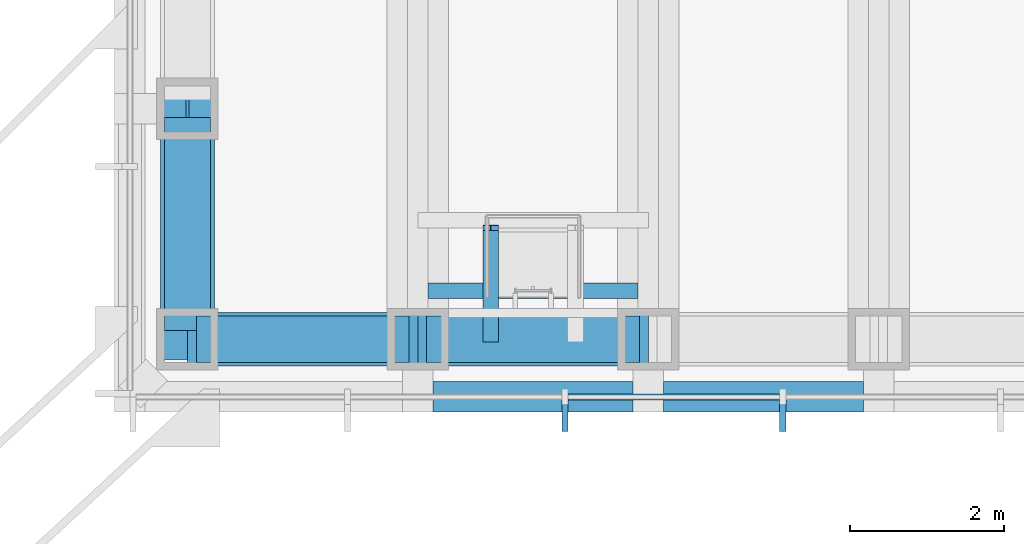
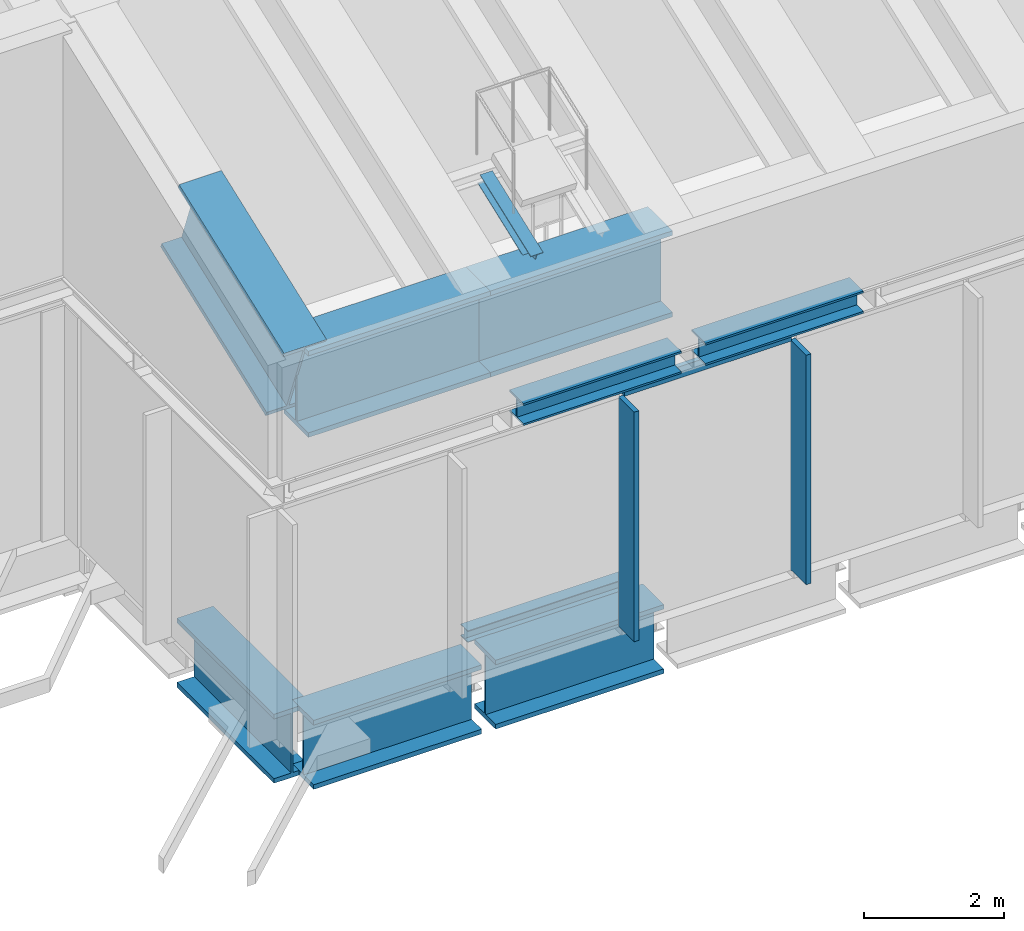
# One storey, part 2 of 15: 10 beams, 3 members, 1 element without a shape of its own.
"""IFC4 building model written with IfcOpenShell, lengths in metres."""

from ifc_helpers import new_model, si_unit, direction, frame, origin, origin_2d, place, context, subcontext, project, spatial, rectangle, i_section, extrude, material, material_profile, profile_set, type_object, element, aggregate, save


model = new_model("IFC4")

# Units and contexts
model_context = context("Model", 3, precision=1e-05, world=origin(), true_north=direction((0.0, 1.0)))
body_context = subcontext(model_context, "Body", "Model", "MODEL_VIEW")
ifc_project = project(units=[si_unit("LENGTHUNIT", "METRE"), si_unit("AREAUNIT", "SQUARE_METRE"), si_unit("VOLUMEUNIT", "CUBIC_METRE"), si_unit("PLANEANGLEUNIT", "RADIAN"), si_unit("MASSUNIT", "GRAM", prefix="KILO")], contexts=[model_context])

# Site, building, storey
site_placement = place(None, origin())
site = spatial("IfcSite", under=ifc_project, at=site_placement, CompositionType="ELEMENT")
building_placement = place(site_placement, origin())
building = spatial("IfcBuilding", under=site, at=building_placement, Name="Daluyong Arena Tower", CompositionType="ELEMENT")
storey_placement = place(building_placement, frame((0.0, 0.0, 285.699951171875)))
storey = spatial("IfcBuildingStorey", under=building, at=storey_placement, Name="L64", CompositionType="ELEMENT", Elevation=285.699951171875)

# Curtain wall, members
ifc_material_1 = material(Name="Bronze anodised aluminium and glass", Category="aluminium")
curtain_wall_type = type_object("IfcCurtainWallType", Name="Curtain wall CW6", PredefinedType="USERDEFINED", material=ifc_material_1)
curtain_wall_placement = place(storey_placement, origin())
curtain_wall = element("IfcCurtainWall", 1, at=curtain_wall_placement, inside=storey, type_object=curtain_wall_type, Name="crown louvre curtain wall L64 S", ObjectType="UNITISED CURTAIN WALL", PredefinedType="USERDEFINED")
ifc_material_2 = material(Name="Bronze anodised aluminium fin", Category="aluminium")
ifc_material_profile_1 = material_profile(ifc_material_2, rectangle(XDim=0.449951171875, YDim=0.080078125, at=origin_2d()))
ifc_profile_set_1 = profile_set([ifc_material_profile_1], Name="Bronze anodised aluminium fin")
member_type_1 = type_object("IfcMemberType", Name="CW6 bronze fin 450x80", PredefinedType="MULLION", material=ifc_profile_set_1)
member_1_placement = place(storey_placement, frame((48.916748046875, 61.02490234375, 0.0), z_axis=(0.0, 0.0, 1.0), x_axis=(0.0, 1.0, 0.0)))
member_1 = element("IfcMember", 2, at=member_1_placement, type_object=member_type_1, Name="crown louvre curtain wall L64 S fin 3", PredefinedType="MULLION", context=body_context, shape_type="SweptSolid", body=[
    extrude(rectangle(XDim=0.449951171875, YDim=0.080078125, at=origin_2d()), origin(), (0.0, 0.0, 1.0), 4.0),
])
member_2_placement = place(storey_placement, frame((51.75, 61.02490234375, 0.0), z_axis=(0.0, 0.0, 1.0), x_axis=(0.0, 1.0, 0.0)))
member_2 = element("IfcMember", 3, at=member_2_placement, type_object=member_type_1, Name="crown louvre curtain wall L64 S fin 4", PredefinedType="MULLION", context=body_context, shape_type="SweptSolid", body=[
    extrude(rectangle(XDim=0.449951171875, YDim=0.080078125, at=origin_2d()), origin(), (0.0, 0.0, 1.0), 4.0),
])
ifc_material_3 = material(Name="Bronze anodised aluminium", Category="aluminium")
ifc_material_profile_2 = material_profile(ifc_material_3, rectangle(XDim=0.080078125, YDim=0.199951171875, at=origin_2d()))
ifc_profile_set_2 = profile_set([ifc_material_profile_2], Name="Bronze anodised aluminium")
member_type_2 = type_object("IfcMemberType", Name="CW6 stack transom 200x80", PredefinedType="USERDEFINED", material=ifc_profile_set_2)
member_3_placement = place(storey_placement, frame((48.956787109375, 61.25, 4.10009765625), z_axis=(1.0, 0.0, 0.0), x_axis=(0.0, 1.0, 0.0)))
member_3 = element("IfcMember", 4, at=member_3_placement, type_object=member_type_2, Name="crown louvre curtain wall L64 S transom 3", ObjectType="TRANSOM", PredefinedType="USERDEFINED", context=body_context, shape_type="SweptSolid", body=[
    extrude(rectangle(XDim=0.080078125, YDim=0.199951171875, at=origin_2d()), origin(), (0.0, 0.0, 1.0), 2.753173828125),
])
aggregate(curtain_wall, [member_1, member_2, member_3])

# Beams
ifc_material_4 = material(Name="Steel ASTM A992 Grade 50", Category="steel")
ifc_material_profile_3 = material_profile(ifc_material_4, i_section(OverallWidth=0.398681640625, OverallDepth=0.385986328125, WebThickness=0.02099609375, FlangeThickness=0.033203125, at=origin_2d()))
ifc_profile_set_3 = profile_set([ifc_material_profile_3], Name="Steel ASTM A992 Grade 50")
beam_type_1 = type_object("IfcBeamType", Name="Crown louvre support beam W14X176", PredefinedType="BEAM", material=ifc_profile_set_3)
for number, where, z_axis, x_axis, name in (
    (5, (47.199462890625, 61.25, 4.39306640625), (1.0, 0.0, 0.0), (0.0, 1.0, 0.0), "crown louvre support beam LS1"),
    (6, (50.199462890625, 61.25, 4.39306640625), (1.0, 0.0, 0.0), (0.0, 1.0, 0.0), "crown louvre support beam LS1"),
):
    element("IfcBeam", number, at=place(storey_placement, frame(where, z_axis=z_axis, x_axis=x_axis)), inside=storey, type_object=beam_type_1, Name=name, PredefinedType="BEAM", context=body_context, shape_type="SweptSolid", body=[
        extrude(i_section(OverallWidth=0.398681640625, OverallDepth=0.385986328125, WebThickness=0.02099609375, FlangeThickness=0.033203125, at=origin_2d()), origin(), (0.0, 0.0, 1.0), 2.60107421875),
    ])
ifc_material_5 = material(Name="Steel ASTM A992 Grade 50", Category="steel")
ifc_material_profile_4 = material_profile(ifc_material_5, i_section(OverallWidth=0.203125, OverallDepth=0.203125, WebThickness=0.00732421875, FlangeThickness=0.010986328125, at=origin_2d()))
ifc_profile_set_4 = profile_set([ifc_material_profile_4], Name="Steel ASTM A992 Grade 50")
beam_type_2 = type_object("IfcBeamType", Name="Crown plant floor ladder trimmer W8X31", PredefinedType="BEAM", material=ifc_profile_set_4)
beam_1_placement = place(storey_placement, frame((47.13330078125, 62.632568359375, -0.3515625), z_axis=(1.0, 0.0, 0.0), x_axis=(0.0, 1.0, 0.0)))
element("IfcBeam", 7, at=beam_1_placement, inside=storey, type_object=beam_type_2, Name="crown plant floor trimmer LT1", PredefinedType="BEAM", context=body_context, shape_type="SweptSolid", body=[
    extrude(i_section(OverallWidth=0.203125, OverallDepth=0.203125, WebThickness=0.00732421875, FlangeThickness=0.010986328125, at=origin_2d()), origin(), (0.0, 0.0, 1.0), 2.7333984375),
])
ifc_material_6 = material(Name="Steel ASTM A572 Grade 50", Category="steel")
ifc_material_profile_5 = material_profile(ifc_material_6, i_section(OverallWidth=0.699951171875, OverallDepth=1.5, WebThickness=0.04, FlangeThickness=0.08, at=origin_2d()))
ifc_profile_set_5 = profile_set([ifc_material_profile_5], Name="Steel ASTM A572 Grade 50")
beam_type_3 = type_object("IfcBeamType", Name="Crown roof edge beam PG1500X700", PredefinedType="SPANDREL", material=ifc_profile_set_5)
for number, where, z_axis, x_axis, name in (
    (8, (44.0, 62.0, 5.50244140625), (1.0, 0.0, 0.0), (0.0, 1.0, 0.0), "crown roof edge beam RB1"),
    (9, (47.0, 62.0, 5.50244140625), (1.0, 0.0, 0.0), (0.0, 1.0, 0.0), "crown roof edge beam RB1"),
):
    element("IfcBeam", number, at=place(storey_placement, frame(where, z_axis=z_axis, x_axis=x_axis)), inside=storey, type_object=beam_type_3, Name=name, PredefinedType="SPANDREL", context=body_context, shape_type="SweptSolid", body=[
        extrude(i_section(OverallWidth=0.699951171875, OverallDepth=1.5, WebThickness=0.04, FlangeThickness=0.08, at=origin_2d()), origin(), (0.0, 0.0, 1.0), 3.0),
    ])
beam_2_placement = place(storey_placement, frame((44.0, 65.0, 6.708740234375), z_axis=(0.0, -0.936228943712, -0.351390615918), x_axis=(1.0, 0.0, 0.0)))
element("IfcBeam", 10, at=beam_2_placement, inside=storey, type_object=beam_type_3, Name="crown roof edge beam RB1", PredefinedType="SPANDREL", context=body_context, shape_type="SweptSolid", body=[
    extrude(i_section(OverallWidth=0.699951171875, OverallDepth=1.5, WebThickness=0.04, FlangeThickness=0.08, at=origin_2d()), origin(), (0.0, 0.0, 1.0), 3.204345703125),
])
ifc_material_7 = material(Name="Steel ASTM A992 Grade 50", Category="steel")
ifc_material_profile_6 = material_profile(ifc_material_7, i_section(OverallWidth=0.203125, OverallDepth=0.203125, WebThickness=0.00732421875, FlangeThickness=0.010986328125, at=origin_2d()))
ifc_profile_set_6 = profile_set([ifc_material_profile_6], Name="Steel ASTM A992 Grade 50")
beam_type_4 = type_object("IfcBeamType", Name="Crown roof opening trimmer W8X31", PredefinedType="BEAM", material=ifc_profile_set_6)
beam_3_placement = place(storey_placement, frame((47.948486328125, 62.0, 6.275390625), z_axis=(0.0, 0.936231965537, 0.351382564604), x_axis=(-1.0, 0.0, 0.0)))
element("IfcBeam", 11, at=beam_3_placement, inside=storey, type_object=beam_type_4, Name="crown roof opening trimmer HT1", PredefinedType="BEAM", context=body_context, shape_type="SweptSolid", body=[
    extrude(i_section(OverallWidth=0.203125, OverallDepth=0.203125, WebThickness=0.00732421875, FlangeThickness=0.010986328125, at=origin_2d()), origin(), (0.0, 0.0, 1.0), 1.548828125),
])
ifc_material_8 = material(Name="Steel ASTM A572 Grade 50", Category="steel")
ifc_material_profile_7 = material_profile(ifc_material_8, i_section(OverallWidth=0.60009765625, OverallDepth=1.199951171875, WebThickness=0.03, FlangeThickness=0.08, at=origin_2d()))
ifc_profile_set_7 = profile_set([ifc_material_profile_7], Name="Steel ASTM A572 Grade 50")
beam_type_5 = type_object("IfcBeamType", Name="Spandrel ZC PG1200X600", PredefinedType="SPANDREL", material=ifc_profile_set_7)
for number, where, z_axis, x_axis, name in (
    (12, (44.114990234375, 62.0, -0.849853515625), (1.0, 0.0, 0.0), (0.0, 1.0, 0.0), "spandrel zc SB10"),
    (13, (47.114990234375, 62.0, -0.849853515625), (1.0, 0.0, 0.0), (0.0, 1.0, 0.0), "spandrel zc SB10"),
    (14, (44.0, 64.885009765625, -0.849853515625), (0.0, -1.0, 0.0), (1.0, 0.0, 0.0), "spandrel zc SB10"),
):
    element("IfcBeam", number, at=place(storey_placement, frame(where, z_axis=z_axis, x_axis=x_axis)), inside=storey, type_object=beam_type_5, Name=name, PredefinedType="SPANDREL", context=body_context, shape_type="SweptSolid", body=[
        extrude(i_section(OverallWidth=0.60009765625, OverallDepth=1.199951171875, WebThickness=0.03, FlangeThickness=0.08, at=origin_2d()), origin(), (0.0, 0.0, 1.0), 2.77001953125),
    ])

save(model, "model.ifc")
